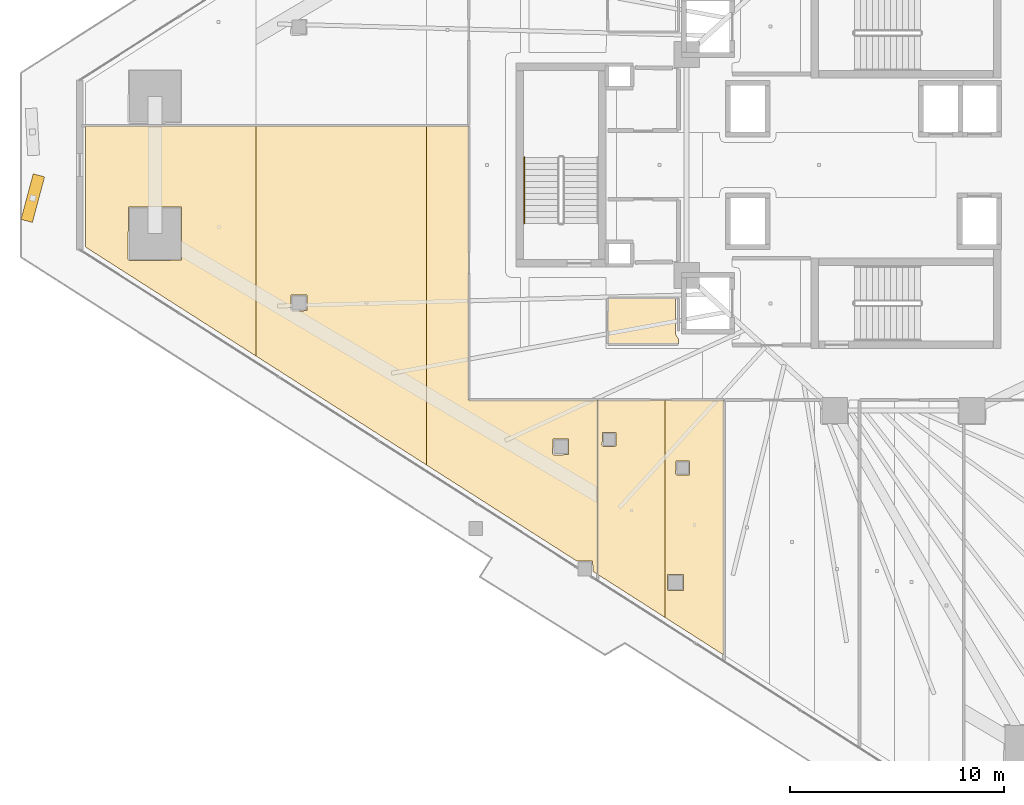
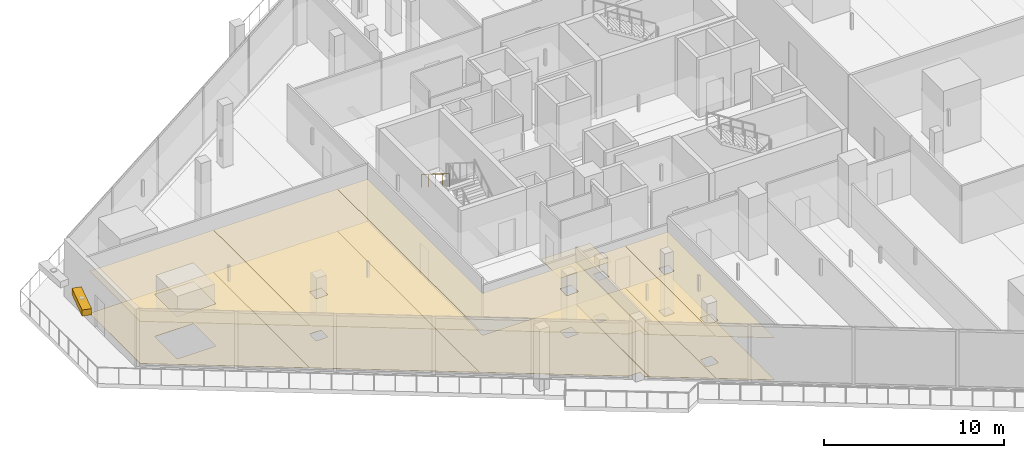
# One storey, part 37 of 45: 11 coverings, 1 railing, 1 shading device.
"""IFC4 building model written with IfcOpenShell, lengths in metres."""

from ifc_helpers import new_model, si_unit, direction, frame, origin, origin_2d, place, context, subcontext, project, spatial, polyline, rectangle, circle, outline, extrude, material, layer, layer_set, type_object, element, save


model = new_model("IFC4")

# Units and contexts
model_context = context("Model", 3, precision=1e-05, world=origin(), true_north=direction((0.0, 1.0)))
body_context = subcontext(model_context, "Body", "Model", "MODEL_VIEW")
ifc_project = project(units=[si_unit("LENGTHUNIT", "METRE"), si_unit("AREAUNIT", "SQUARE_METRE"), si_unit("VOLUMEUNIT", "CUBIC_METRE"), si_unit("PLANEANGLEUNIT", "RADIAN"), si_unit("MASSUNIT", "GRAM", prefix="KILO")], contexts=[model_context])

# Site, building, storey
site_placement = place(None, origin())
site = spatial("IfcSite", under=ifc_project, at=site_placement, CompositionType="ELEMENT")
building_placement = place(site_placement, origin())
building = spatial("IfcBuilding", under=site, at=building_placement, Name="Qorvath Tower", CompositionType="ELEMENT")
storey_placement = place(building_placement, frame((0.0, 0.0, 91.199951171875)))
storey = spatial("IfcBuildingStorey", under=building, at=storey_placement, Name="L20", CompositionType="ELEMENT", Elevation=91.199951171875)

# Coverings
ifc_material_1 = material(Name="Acoustic mineral fibre ceiling tile", Category="gypsum")
ifc_layer_1 = layer(ifc_material_1, 0.030029296875)
ifc_layer_set_1 = layer_set([ifc_layer_1], Name="COV-CEIL")
covering_type_1 = type_object("IfcCoveringType", Name="COV-CEIL", PredefinedType="CEILING", material=ifc_layer_set_1)
covering_1_placement = place(storey_placement, frame((0.0, 0.0, 2.85009765625)))
element("IfcCovering", 1, at=covering_1_placement, inside=storey, type_object=covering_type_1, Name="L20 Suspended Acoustic Ceiling 018", PredefinedType="CEILING", context=body_context, shape_type="SweptSolid", body=[
    extrude(outline(polyline([(-34.64501953125, -10.962890625), (-34.64501953125, -19.0888671875), (-31.512939453125, -21.0908203125), (-31.512939453125, -10.962890625), (-34.64501953125, -10.962890625)]), holes=[polyline([(-34.439208984375, -13.0673828125), (-34.421630859375, -12.47509765625), (-33.786865234375, -12.47509765625), (-33.786865234375, -13.10986328125), (-34.379150390625, -13.12744140625), (-34.439208984375, -13.0673828125)])]), origin(), (0.0, 0.0, 1.0), 0.030029296875),
])
covering_2_placement = place(storey_placement, frame((0.0, 0.0, 2.85009765625)))
element("IfcCovering", 2, at=covering_2_placement, inside=storey, type_object=covering_type_1, Name="L20 Suspended Acoustic Ceiling 019", PredefinedType="CEILING", context=body_context, shape_type="SweptSolid", body=[
    extrude(outline(polyline([(-31.512939453125, -10.962890625), (-31.512939453125, -21.0908203125), (-28.7646484375, -22.84716796875), (-28.7646484375, -10.962890625), (-31.512939453125, -10.962890625)]), holes=[polyline([(-31.01220703125, -14.3994140625), (-30.99462890625, -13.806884765625), (-30.35986328125, -13.806884765625), (-30.35986328125, -14.441650390625), (-30.9521484375, -14.459228515625), (-31.01220703125, -14.3994140625)]), polyline([(-31.401123046875, -19.785400390625), (-31.383544921875, -19.093017578125), (-30.648681640625, -19.093017578125), (-30.648681640625, -19.827880859375), (-31.341064453125, -19.845458984375), (-31.401123046875, -19.785400390625)])]), origin(), (0.0, 0.0, 1.0), 0.030029296875),
])
covering_3_placement = place(storey_placement, frame((0.0, 0.0, 2.85009765625)))
element("IfcCovering", 3, at=covering_3_placement, inside=storey, type_object=covering_type_1, Name="L20 Suspended Acoustic Ceiling 038", PredefinedType="CEILING", context=body_context, shape_type="SweptSolid", body=[
    extrude(outline(polyline([(-58.5380859375, 1.82568359375), (-58.5380859375, -3.818115234375), (-50.579833984375, -8.904541015625), (-50.579833984375, 1.82568359375), (-58.5380859375, 1.82568359375)]), holes=[polyline([(-56.54296875, -4.39453125), (-56.525390625, -1.9521484375), (-54.04052734375, -1.9521484375), (-54.04052734375, -4.43701171875), (-56.48291015625, -4.45458984375), (-56.54296875, -4.39453125)])]), origin(), (0.0, 0.0, 1.0), 0.030029296875),
])
covering_4_placement = place(storey_placement, frame((0.0, 0.0, 2.85009765625)))
element("IfcCovering", 4, at=covering_4_placement, inside=storey, type_object=covering_type_1, Name="L20 Suspended Acoustic Ceiling 039", PredefinedType="CEILING", context=body_context, shape_type="SweptSolid", body=[
    extrude(outline(polyline([(-50.579833984375, 1.82568359375), (-50.579833984375, -8.904541015625), (-42.621337890625, -13.990966796875), (-42.621337890625, 1.82568359375), (-50.579833984375, 1.82568359375)]), holes=[polyline([(-48.96337890625, -6.74951171875), (-48.94580078125, -6.05712890625), (-48.2109375, -6.05712890625), (-48.2109375, -6.7919921875), (-48.9033203125, -6.8095703125), (-48.96337890625, -6.74951171875)])]), origin(), (0.0, 0.0, 1.0), 0.030029296875),
])
covering_5_placement = place(storey_placement, frame((0.0, 0.0, 2.85009765625)))
element("IfcCovering", 5, at=covering_5_placement, inside=storey, type_object=covering_type_1, Name="L20 Suspended Acoustic Ceiling 040", PredefinedType="CEILING", context=body_context, shape_type="SweptSolid", body=[
    extrude(outline(polyline([(-42.621337890625, 1.82568359375), (-42.621337890625, -13.990966796875), (-35.62060546875, -18.46533203125), (-34.88427734375, -18.4619140625), (-34.86669921875, -18.947265625), (-34.6630859375, -19.077392578125), (-34.6630859375, -10.962890625), (-40.6630859375, -10.9580078125), (-40.6630859375, 1.82568359375), (-42.621337890625, 1.82568359375)]), holes=[polyline([(-36.749755859375, -13.46044921875), (-36.732177734375, -12.76806640625), (-35.997314453125, -12.76806640625), (-35.997314453125, -13.5029296875), (-36.689697265625, -13.5205078125), (-36.749755859375, -13.46044921875)])]), origin(), (0.0, 0.0, 1.0), 0.030029296875),
])
ifc_material_2 = material(Name="Low-VOC modular carpet tile", Category="textile")
ifc_layer_2 = layer(ifc_material_2, 0.014892578125)
ifc_layer_set_2 = layer_set([ifc_layer_2], Name="COV-FLOOR-CPT")
covering_type_2 = type_object("IfcCoveringType", Name="COV-FLOOR-CPT", PredefinedType="FLOORING", material=ifc_layer_set_2)
covering_6_placement = place(storey_placement, origin())
element("IfcCovering", 6, at=covering_6_placement, inside=storey, type_object=covering_type_2, Name="L20 Floor Finish 018", PredefinedType="FLOORING", context=body_context, shape_type="SweptSolid", body=[
    extrude(outline(polyline([(-34.64501953125, -10.962890625), (-34.64501953125, -19.0888671875), (-31.512939453125, -21.0908203125), (-31.512939453125, -10.962890625), (-34.64501953125, -10.962890625)]), holes=[polyline([(-34.439208984375, -13.0673828125), (-34.421630859375, -12.47509765625), (-33.786865234375, -12.47509765625), (-33.786865234375, -13.10986328125), (-34.379150390625, -13.12744140625), (-34.439208984375, -13.0673828125)])]), origin(), (0.0, 0.0, 1.0), 0.01513671875),
])
covering_7_placement = place(storey_placement, origin())
element("IfcCovering", 7, at=covering_7_placement, inside=storey, type_object=covering_type_2, Name="L20 Floor Finish 019", PredefinedType="FLOORING", context=body_context, shape_type="SweptSolid", body=[
    extrude(outline(polyline([(-31.512939453125, -10.962890625), (-31.512939453125, -21.0908203125), (-28.7646484375, -22.84716796875), (-28.7646484375, -10.962890625), (-31.512939453125, -10.962890625)]), holes=[polyline([(-31.01220703125, -14.3994140625), (-30.99462890625, -13.806884765625), (-30.35986328125, -13.806884765625), (-30.35986328125, -14.441650390625), (-30.9521484375, -14.459228515625), (-31.01220703125, -14.3994140625)]), polyline([(-31.401123046875, -19.785400390625), (-31.383544921875, -19.093017578125), (-30.648681640625, -19.093017578125), (-30.648681640625, -19.827880859375), (-31.341064453125, -19.845458984375), (-31.401123046875, -19.785400390625)])]), origin(), (0.0, 0.0, 1.0), 0.01513671875),
])
covering_8_placement = place(storey_placement, origin())
element("IfcCovering", 8, at=covering_8_placement, inside=storey, type_object=covering_type_2, Name="L20 Floor Finish 038", PredefinedType="FLOORING", context=body_context, shape_type="SweptSolid", body=[
    extrude(outline(polyline([(-58.5380859375, 1.82568359375), (-58.5380859375, -3.818115234375), (-50.579833984375, -8.904541015625), (-50.579833984375, 1.82568359375), (-58.5380859375, 1.82568359375)]), holes=[polyline([(-56.54296875, -4.39453125), (-56.525390625, -1.9521484375), (-54.04052734375, -1.9521484375), (-54.04052734375, -4.43701171875), (-56.48291015625, -4.45458984375), (-56.54296875, -4.39453125)])]), origin(), (0.0, 0.0, 1.0), 0.01513671875),
])
covering_9_placement = place(storey_placement, origin())
element("IfcCovering", 9, at=covering_9_placement, inside=storey, type_object=covering_type_2, Name="L20 Floor Finish 039", PredefinedType="FLOORING", context=body_context, shape_type="SweptSolid", body=[
    extrude(outline(polyline([(-50.579833984375, 1.82568359375), (-50.579833984375, -8.904541015625), (-42.621337890625, -13.990966796875), (-42.621337890625, 1.82568359375), (-50.579833984375, 1.82568359375)]), holes=[polyline([(-48.96337890625, -6.74951171875), (-48.94580078125, -6.05712890625), (-48.2109375, -6.05712890625), (-48.2109375, -6.7919921875), (-48.9033203125, -6.8095703125), (-48.96337890625, -6.74951171875)])]), origin(), (0.0, 0.0, 1.0), 0.01513671875),
])
covering_10_placement = place(storey_placement, origin())
element("IfcCovering", 10, at=covering_10_placement, inside=storey, type_object=covering_type_2, Name="L20 Floor Finish 040", PredefinedType="FLOORING", context=body_context, shape_type="SweptSolid", body=[
    extrude(outline(polyline([(-42.621337890625, 1.82568359375), (-42.621337890625, -13.990966796875), (-35.62060546875, -18.46533203125), (-34.88427734375, -18.4619140625), (-34.86669921875, -18.947265625), (-34.6630859375, -19.077392578125), (-34.6630859375, -10.962890625), (-40.6630859375, -10.9580078125), (-40.6630859375, 1.82568359375), (-42.621337890625, 1.82568359375)]), holes=[polyline([(-36.749755859375, -13.46044921875), (-36.732177734375, -12.76806640625), (-35.997314453125, -12.76806640625), (-35.997314453125, -13.5029296875), (-36.689697265625, -13.5205078125), (-36.749755859375, -13.46044921875)])]), origin(), (0.0, 0.0, 1.0), 0.01513671875),
])
ifc_material_3 = material(Name="Polished epoxy terrazzo flooring", Category="concrete")
ifc_layer_3 = layer(ifc_material_3, 0.02001953125)
ifc_layer_set_3 = layer_set([ifc_layer_3], Name="COV-FLOOR-TRZ")
covering_type_3 = type_object("IfcCoveringType", Name="COV-FLOOR-TRZ", PredefinedType="FLOORING", material=ifc_layer_set_3)
covering_11_placement = place(storey_placement, origin())
element("IfcCovering", 11, at=covering_11_placement, inside=storey, type_object=covering_type_3, Name="L20 Floor Finish 005", PredefinedType="FLOORING", context=body_context, shape_type="SweptSolid", body=[
    extrude(outline(polyline([(-30.885009765625, -8.344970703125), (-30.885009765625, -8.108154296875), (-31.010009765625, -7.909912109375), (-31.010009765625, -6.205078125), (-34.175048828125, -6.205078125), (-34.175048828125, -8.344970703125), (-30.885009765625, -8.344970703125)])), origin(), (0.0, 0.0, 1.0), 0.01513671875),
])

# Railing
ifc_material_4 = material(Name="Brushed stainless steel AISI 304", Category="steel")
railing_type = type_object("IfcRailingType", Name="RL-STR-HND", PredefinedType="HANDRAIL", material=ifc_material_4)
railing_placement = place(storey_placement, frame((-38.06005859375, 0.360107421875, 2.275146484375)))
element("IfcRailing", 12, at=railing_placement, inside=storey, type_object=railing_type, Name="L20 TS3 stair handrail 2", PredefinedType="HANDRAIL", context=body_context, shape_type="SweptSolid", body=[
    extrude(circle(Radius=0.02392578125, at=origin_2d()), frame((0.0, 0.0, 0.8759765625), z_axis=(0.0, -0.848028513186, 0.529950602248), x_axis=(1.0, 0.0, 0.0)), (0.0, 0.0, 1.0), 3.632080078125),
    extrude(circle(Radius=0.02099609375, at=origin_2d()), origin(), (0.0, 0.0, 1.0), 0.851806640625),
    extrude(circle(Radius=0.02099609375, at=origin_2d()), frame((0.0, -0.77001953125, 0.481201171875)), (0.0, 0.0, 1.0), 0.851806640625),
    extrude(circle(Radius=0.02099609375, at=origin_2d()), frame((0.0, -1.5400390625, 0.96240234375)), (0.0, 0.0, 1.0), 0.851806640625),
    extrude(circle(Radius=0.02099609375, at=origin_2d()), frame((0.0, -2.31005859375, 1.443603515625)), (0.0, 0.0, 1.0), 0.851806640625),
    extrude(circle(Radius=0.02099609375, at=origin_2d()), frame((0.0, -3.080078125, 1.9248046875)), (0.0, 0.0, 1.0), 0.851806640625),
])

# Shading device
ifc_material_5 = material(Name="Anodised bronze-champagne aluminium", Category="aluminium")
shading_device_type = type_object("IfcShadingDeviceType", Name="SD-LOUVRE", PredefinedType="JALOUSIE", material=ifc_material_5)
shading_device_placement = place(storey_placement, frame((-60.983642578125, -1.544921875, 3.500244140625), z_axis=(0.0, 0.0, 1.0), x_axis=(-0.258596504901, -0.965985428282, 0.0)))
element("IfcShadingDevice", 13, at=shading_device_placement, inside=storey, type_object=shading_device_type, Name="Sinusoidal Wave Louvre Blade L20-02", PredefinedType="NOTDEFINED", context=body_context, shape_type="SweptSolid", body=[
    extrude(rectangle(XDim=2.199951171875, YDim=0.550048828125, at=origin_2d()), origin(), (0.0, 0.0, 1.0), 0.419921875),
])

save(model, "model.ifc")
